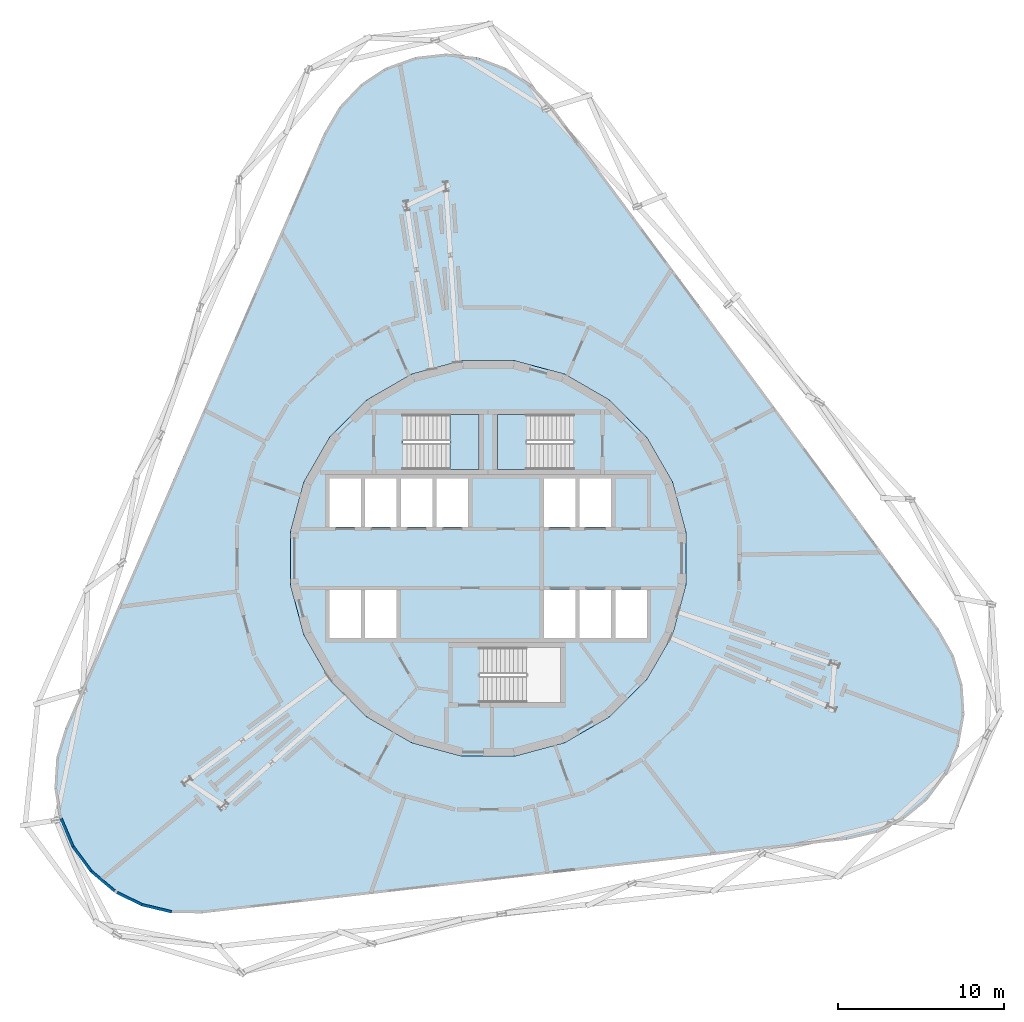
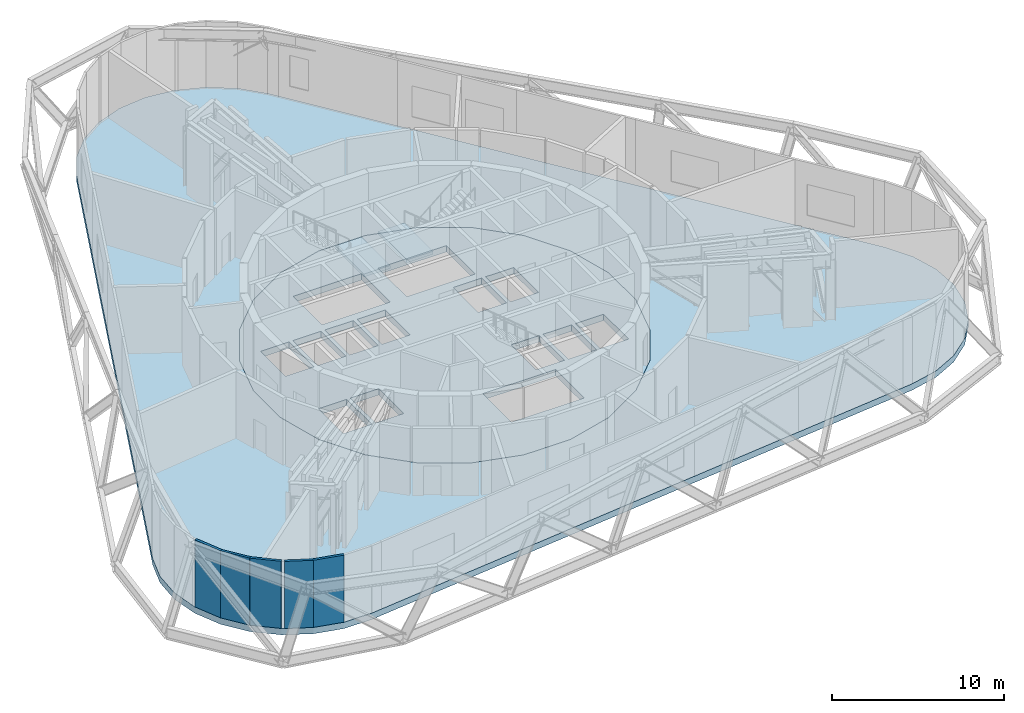
# One storey, part 4 of 11: 5 walls, 4 slabs, 2 elements without a shape of their own.
"""IFC4 building model written with IfcOpenShell, lengths in metres."""

from ifc_helpers import new_model, si_unit, direction, frame, frame_2d, origin, place, context, subcontext, project, spatial, polyline, rectangle, outline, extrude, material, layer, layer_set, type_object, element, aggregate, save


model = new_model("IFC4")

# Units and contexts
model_context = context("Model", 3, precision=1e-05, world=origin(), true_north=direction((0.0, 1.0)))
body_context = subcontext(model_context, "Body", "Model", "MODEL_VIEW")
ifc_project = project(units=[si_unit("LENGTHUNIT", "METRE"), si_unit("AREAUNIT", "SQUARE_METRE"), si_unit("VOLUMEUNIT", "CUBIC_METRE"), si_unit("PLANEANGLEUNIT", "RADIAN"), si_unit("MASSUNIT", "GRAM", prefix="KILO")], contexts=[model_context])

# Site, building, storey
site_placement = place(None, origin())
site = spatial("IfcSite", under=ifc_project, at=site_placement, CompositionType="ELEMENT")
building_placement = place(site_placement, origin())
building = spatial("IfcBuilding", under=site, at=building_placement, Name="Spindle Arch Residences", CompositionType="ELEMENT")
storey_placement = place(building_placement, frame((0.0, 0.0, 108.199951171875)))
storey = spatial("IfcBuildingStorey", under=building, at=storey_placement, Name="L26", CompositionType="ELEMENT", Elevation=108.199951171875)

# Slabs
ifc_material_1 = material(Name="Concrete C40/50", Category="concrete")
ifc_layer_1 = layer(ifc_material_1, 0.449951171875)
ifc_layer_set_1 = layer_set([ifc_layer_1], Name="Compartment floor slab 450")
slab_type_1 = type_object("IfcSlabType", Name="Compartment floor slab 450", PredefinedType="FLOOR", material=ifc_layer_set_1)
slab_1_placement = place(storey_placement, frame((0.0, 0.0, -0.449951171875)))
element("IfcSlab", 1, at=slab_1_placement, inside=storey, type_object=slab_type_1, Name="Floor slab L26", PredefinedType="FLOOR", context=body_context, shape_type="SweptSolid", body=[
    extrude(outline(polyline([(-17.193115234375, -21.341064453125), (-19.05078125, -21.335693359375), (-20.85693359375, -20.902099609375), (-22.514404296875, -20.0634765625), (-23.933837890625, -18.865478515625), (-25.038818359375, -17.372314453125), (-25.769287109375, -15.66455078125), (-26.086669921875, -13.83447265625), (-25.973388671875, -11.98046875), (-25.435302734375, -10.202392578125), (-9.88525390625, 25.560302734375), (-8.951904296875, 27.166259765625), (-7.673095703125, 28.513671875), (-6.118408203125, 29.52978515625), (-4.37109375, 30.159912109375), (-2.525390625, 30.370361328125), (-0.68115234375, 30.1494140625), (1.0625, 29.5087890625), (2.611328125, 28.483642578125), (3.882080078125, 27.12890625), (27.07861328125, -4.21923828125), (28.002685546875, -5.83056640625), (28.530029296875, -7.611572265625), (28.6328125, -9.46630859375), (28.304931640625, -11.294677734375), (27.564208984375, -12.998046875), (26.45068359375, -14.484619140625), (25.0244140625, -15.674560546875), (23.36181640625, -16.50341796875), (21.55322265625, -16.926513671875), (2.179931640625, -19.1337890625), (-17.193115234375, -21.341064453125)]), holes=[polyline([(4.59228515625, -11.086669921875), (7.30517578125, -9.520263671875), (9.520263671875, -7.30517578125), (11.086669921875, -4.59228515625), (11.897216796875, -1.56640625), (11.897216796875, 1.56640625), (11.086669921875, 4.59228515625), (9.520263671875, 7.30517578125), (7.30517578125, 9.520263671875), (4.59228515625, 11.086669921875), (1.56640625, 11.897216796875), (-1.56640625, 11.897216796875), (-4.59228515625, 11.086669921875), (-7.30517578125, 9.520263671875), (-9.520263671875, 7.30517578125), (-11.086669921875, 4.59228515625), (-11.897216796875, 1.56640625), (-11.897216796875, -1.56640625), (-11.086669921875, -4.59228515625), (-9.520263671875, -7.30517578125), (-7.30517578125, -9.520263671875), (-4.59228515625, -11.086669921875), (-1.56640625, -11.897216796875), (1.56640625, -11.897216796875), (4.59228515625, -11.086669921875)])]), origin(), (0.0, 0.0, 1.0), 0.449951171875),
])
ifc_material_2 = material(Name="Concrete C50/60", Category="concrete")
ifc_layer_2 = layer(ifc_material_2, 0.449951171875)
ifc_layer_set_2 = layer_set([ifc_layer_2], Name="Core floor slab 450")
slab_type_2 = type_object("IfcSlabType", Name="Core floor slab 450", PredefinedType="FLOOR", material=ifc_layer_set_2)
slab_2_placement = place(storey_placement, frame((0.0, 0.0, -0.449951171875)))
element("IfcSlab", 2, at=slab_2_placement, inside=storey, type_object=slab_type_2, Name="Core floor L26", PredefinedType="FLOOR", context=body_context, shape_type="SweptSolid", body=[
    extrude(outline(polyline([(1.56640625, -11.897216796875), (4.59228515625, -11.086669921875), (7.30517578125, -9.520263671875), (9.520263671875, -7.30517578125), (11.086669921875, -4.59228515625), (11.897216796875, -1.56640625), (11.897216796875, 1.56640625), (11.086669921875, 4.59228515625), (9.520263671875, 7.30517578125), (7.30517578125, 9.520263671875), (4.59228515625, 11.086669921875), (1.56640625, 11.897216796875), (-1.56640625, 11.897216796875), (-4.59228515625, 11.086669921875), (-7.30517578125, 9.520263671875), (-9.520263671875, 7.30517578125), (-11.086669921875, 4.59228515625), (-11.897216796875, 1.56640625), (-11.897216796875, -1.56640625), (-11.086669921875, -4.59228515625), (-9.520263671875, -7.30517578125), (-7.30517578125, -9.520263671875), (-4.59228515625, -11.086669921875), (-1.56640625, -11.897216796875), (1.56640625, -11.897216796875)]), holes=[polyline([(-9.550048828125, 1.89990234375), (-7.64990234375, 1.89990234375), (-7.64990234375, 4.800048828125), (-9.550048828125, 4.800048828125), (-9.550048828125, 1.89990234375)]), polyline([(-7.39990234375, 1.89990234375), (-5.5, 1.89990234375), (-5.5, 4.800048828125), (-7.39990234375, 4.800048828125), (-7.39990234375, 1.89990234375)]), polyline([(-5.25, 1.89990234375), (-3.35009765625, 1.89990234375), (-3.35009765625, 4.800048828125), (-5.25, 4.800048828125), (-5.25, 1.89990234375)]), polyline([(-3.10009765625, 1.89990234375), (-1.199951171875, 1.89990234375), (-1.199951171875, 4.800048828125), (-3.10009765625, 4.800048828125), (-3.10009765625, 1.89990234375)]), polyline([(3.35009765625, 1.89990234375), (5.25, 1.89990234375), (5.25, 4.800048828125), (3.35009765625, 4.800048828125), (3.35009765625, 1.89990234375)]), polyline([(5.5, 1.89990234375), (7.39990234375, 1.89990234375), (7.39990234375, 4.800048828125), (5.5, 4.800048828125), (5.5, 1.89990234375)]), polyline([(-9.550048828125, -4.800048828125), (-7.64990234375, -4.800048828125), (-7.64990234375, -1.89990234375), (-9.550048828125, -1.89990234375), (-9.550048828125, -4.800048828125)]), polyline([(-7.39990234375, -4.800048828125), (-5.5, -4.800048828125), (-5.5, -1.89990234375), (-7.39990234375, -1.89990234375), (-7.39990234375, -4.800048828125)]), polyline([(3.35009765625, -4.800048828125), (5.25, -4.800048828125), (5.25, -1.89990234375), (3.35009765625, -1.89990234375), (3.35009765625, -4.800048828125)]), polyline([(5.5, -4.800048828125), (7.39990234375, -4.800048828125), (7.39990234375, -1.89990234375), (5.5, -1.89990234375), (5.5, -4.800048828125)]), polyline([(7.64990234375, -4.800048828125), (9.550048828125, -4.800048828125), (9.550048828125, -1.89990234375), (7.64990234375, -1.89990234375), (7.64990234375, -4.800048828125)]), polyline([(5.1298828125, 8.669921875), (0.550048828125, 8.669921875), (0.550048828125, 5.35009765625), (5.1298828125, 5.35009765625), (5.1298828125, 8.669921875)]), polyline([(-5.1298828125, 5.35009765625), (-0.550048828125, 5.35009765625), (-0.550048828125, 8.669921875), (-5.1298828125, 8.669921875), (-5.1298828125, 5.35009765625)]), polyline([(-0.530029296875, -8.669921875), (4.35009765625, -8.669921875), (4.35009765625, -5.35009765625), (-0.530029296875, -5.35009765625), (-0.530029296875, -8.669921875)])]), origin(), (0.0, 0.0, 1.0), 0.449951171875),
])

# Stair, slab
ifc_material_3 = material(Name="Concrete C50/60", Category="concrete")
stair_type = type_object("IfcStairType", Name="Exit stair 24 risers", PredefinedType="HALF_TURN_STAIR", material=ifc_material_3)
stair_1_placement = place(storey_placement, origin())
stair_1 = element("IfcStair", 3, at=stair_1_placement, inside=storey, type_object=stair_type, Name="L26 Exit stair ST1", PredefinedType="HALF_TURN_STAIR")
ifc_material_4 = material(Name="Concrete C50/60", Category="concrete")
ifc_layer_3 = layer(ifc_material_4, 0.219970703125)
ifc_layer_set_3 = layer_set([ifc_layer_3], Name="Exit stair landing 220")
slab_type_3 = type_object("IfcSlabType", Name="Exit stair landing 220", PredefinedType="LANDING", material=ifc_layer_set_3)
slab_3_placement = place(storey_placement, frame((0.0, 0.0, 2.380126953125)))
slab_3 = element("IfcSlab", 4, at=slab_3_placement, type_object=slab_type_3, Name="ST1 landing 1", PredefinedType="LANDING", context=body_context, shape_type="SweptSolid", body=[
    extrude(outline(polyline([(2.31005859375, 8.669921875), (0.550048828125, 8.669921875), (0.550048828125, 5.35009765625), (2.31005859375, 5.35009765625), (2.31005859375, 8.669921875)])), origin(), (0.0, 0.0, 1.0), 0.219970703125),
])
aggregate(stair_1, [slab_3])

stair_2_placement = place(storey_placement, origin())
stair_2 = element("IfcStair", 5, at=stair_2_placement, inside=storey, type_object=stair_type, Name="L26 Exit stair ST2", PredefinedType="HALF_TURN_STAIR")
slab_4_placement = place(storey_placement, frame((0.0, 0.0, 2.380126953125)))
slab_4 = element("IfcSlab", 6, at=slab_4_placement, type_object=slab_type_3, Name="ST2 landing 1", PredefinedType="LANDING", context=body_context, shape_type="SweptSolid", body=[
    extrude(outline(polyline([(-2.31005859375, 5.35009765625), (-0.550048828125, 5.35009765625), (-0.550048828125, 8.669921875), (-2.31005859375, 8.669921875), (-2.31005859375, 5.35009765625)])), origin(), (0.0, 0.0, 1.0), 0.219970703125),
])
aggregate(stair_2, [slab_4])

# Walls
ifc_material_5 = material(Name="Non-combustible mineral wool insulated aluminium faced external wall (K0)", Category="aluminium")
ifc_layer_4 = layer(ifc_material_5, 0.159912109375)
ifc_layer_set_4 = layer_set([ifc_layer_4], Name="Insulated external wall panel 160")
wall_type = type_object("IfcWallType", Name="Insulated external wall panel 160", PredefinedType="STANDARD", material=ifc_layer_set_4)
wall_1_placement = place(storey_placement, frame((-25.693603515625, -15.639404296875, 0.0), z_axis=(0.0, 0.0, 1.0), x_axis=(0.393376641472, -0.919377407784, 0.0)))
element("IfcWall", 7, at=wall_1_placement, inside=storey, type_object=wall_type, Name="Plant wall L26 bay 20.2", PredefinedType="STANDARD", context=body_context, shape_type="SweptSolid", body=[
    extrude(rectangle(XDim=1.846435546875, YDim=0.159912109375, at=frame_2d((0.92333984375, 0.0))), origin(), (0.0, 0.0, 1.0), 4.75),
])
wall_2_placement = place(storey_placement, frame((-24.97216796875, -17.32861328125, 0.0), z_axis=(0.0, 0.0, 1.0), x_axis=(0.594788380253, -0.803882318947, 0.0)))
element("IfcWall", 8, at=wall_2_placement, inside=storey, type_object=wall_type, Name="Plant wall L26 bay 20.3", PredefinedType="STANDARD", context=body_context, shape_type="SweptSolid", body=[
    extrude(rectangle(XDim=1.848388671875, YDim=0.159912109375, at=frame_2d((0.92431640625, 0.0))), origin(), (0.0, 0.0, 1.0), 4.75),
])
wall_3_placement = place(storey_placement, frame((-23.87890625, -18.8076171875, 0.0), z_axis=(0.0, 0.0, 1.0), x_axis=(0.76410813609, -0.645088177198, 0.0)))
element("IfcWall", 9, at=wall_3_placement, inside=storey, type_object=wall_type, Name="Plant wall L26 bay 20.4", PredefinedType="STANDARD", context=body_context, shape_type="SweptSolid", body=[
    extrude(rectangle(XDim=1.84619140625, YDim=0.159912109375, at=frame_2d((0.923095703125, 0.0))), origin(), (0.0, 0.0, 1.0), 4.75),
])
wall_4_placement = place(storey_placement, frame((-22.316162109375, -20.09619140625, 0.0), z_axis=(0.0, 0.0, 1.0), x_axis=(0.897492078532, -0.441030576007, 0.0)))
element("IfcWall", 10, at=wall_4_placement, inside=storey, type_object=wall_type, Name="Plant wall L26 bay 21.1", PredefinedType="STANDARD", context=body_context, shape_type="SweptSolid", body=[
    extrude(rectangle(XDim=1.661376953125, YDim=0.159912109375, at=frame_2d((0.83056640625, 0.0))), origin(), (0.0, 0.0, 1.0), 4.75),
])
wall_5_placement = place(storey_placement, frame((-20.83349609375, -20.825927734375, 0.0), z_axis=(0.0, 0.0, 1.0), x_axis=(0.972369310611, -0.233447903784, 0.0)))
element("IfcWall", 11, at=wall_5_placement, inside=storey, type_object=wall_type, Name="Plant wall L26 bay 21.2", PredefinedType="STANDARD", context=body_context, shape_type="SweptSolid", body=[
    extrude(rectangle(XDim=1.847900390625, YDim=0.159912109375, at=frame_2d((0.923828125, 0.0))), origin(), (0.0, 0.0, 1.0), 4.75),
])

save(model, "model.ifc")
